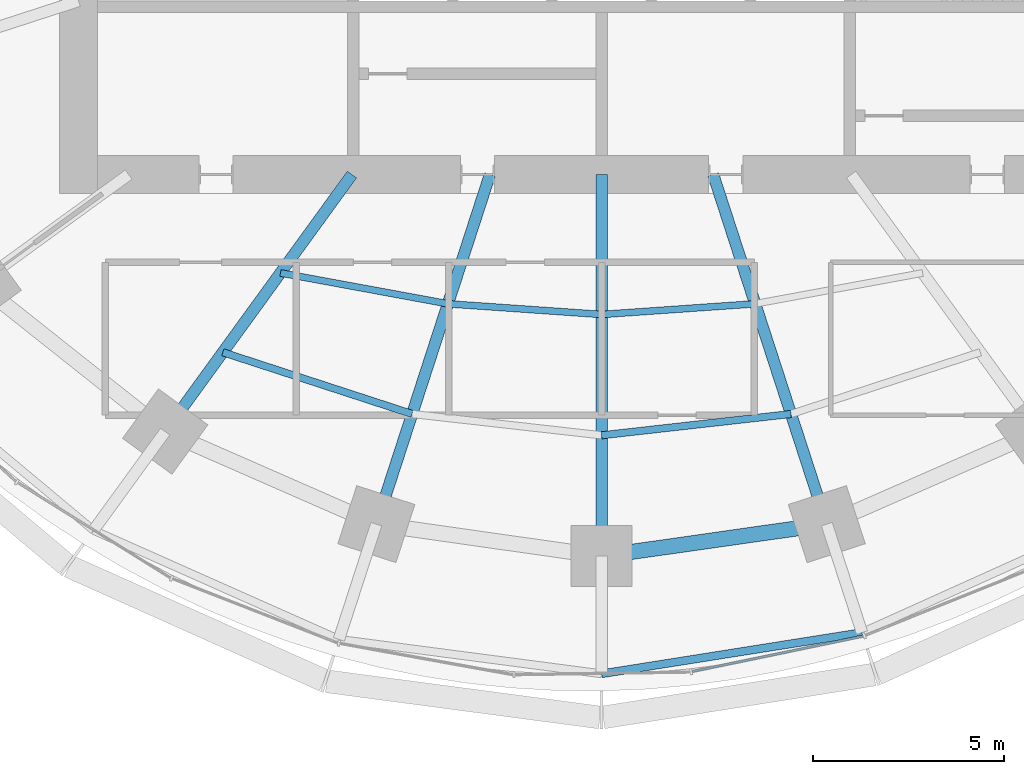
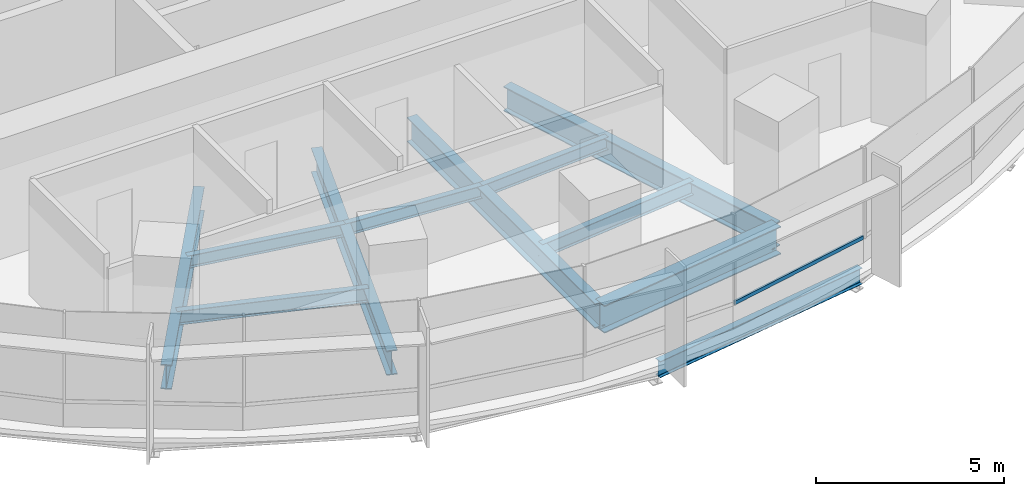
# One storey, part 3 of 14: 11 beams, 1 member, 1 element without a shape of its own.
"""IFC4 building model written with IfcOpenShell, lengths in metres."""

from ifc_helpers import new_model, si_unit, direction, frame, origin, origin_2d, place, context, subcontext, project, spatial, rectangle, i_section, extrude, material, material_profile, profile_set, type_object, element, aggregate, save


model = new_model("IFC4")

# Units and contexts
model_context = context("Model", 3, precision=1e-05, world=origin(), true_north=direction((0.0, 1.0)))
body_context = subcontext(model_context, "Body", "Model", "MODEL_VIEW")
ifc_project = project(units=[si_unit("LENGTHUNIT", "METRE"), si_unit("AREAUNIT", "SQUARE_METRE"), si_unit("VOLUMEUNIT", "CUBIC_METRE"), si_unit("PLANEANGLEUNIT", "RADIAN"), si_unit("MASSUNIT", "GRAM", prefix="KILO")], contexts=[model_context])

# Site, building, storey
site_placement = place(None, origin())
site = spatial("IfcSite", under=ifc_project, at=site_placement, CompositionType="ELEMENT")
building_placement = place(site_placement, origin())
building = spatial("IfcBuilding", under=site, at=building_placement, Name="Marramba Exchange Tower", CompositionType="ELEMENT")
storey_placement = place(building_placement, frame((0.0, 0.0, 139.199951171875)))
storey = spatial("IfcBuildingStorey", under=building, at=storey_placement, Name="L33", CompositionType="ELEMENT", Elevation=139.199951171875)

# Beams
ifc_material_1 = material(Name="Steel AS/NZS 3679.1 grade 300", Category="steel")
ifc_material_profile_1 = material_profile(ifc_material_1, i_section(OverallWidth=0.177978515625, OverallDepth=0.406005859375, WebThickness=0.0078125, FlangeThickness=0.0126953125, FilletRadius=0.011474609375, at=origin_2d()), Name="410UB59.7")
ifc_profile_set_1 = profile_set([ifc_material_profile_1], Name="Steel AS/NZS 3679.1 grade 300")
beam_type_1 = type_object("IfcBeamType", Name="Floor joist 410UB59.7", PredefinedType="JOIST", material=ifc_profile_set_1)
beam_1_placement = place(storey_placement, frame((-8.41162109375, -11.57763671875, -0.363037109375), z_axis=(0.983455754421, -0.181148500119, 0.0), x_axis=(0.181148500119, 0.983455754421, 0.0)))
element("IfcBeam", 1, at=beam_1_placement, inside=storey, type_object=beam_type_1, Name="Joist L33 bay 14 row 1", PredefinedType="JOIST", context=body_context, shape_type="SweptSolid", body=[
    extrude(i_section(OverallWidth=0.177978515625, OverallDepth=0.406005859375, WebThickness=0.0078125, FlangeThickness=0.0126953125, FilletRadius=0.011474609375, at=origin_2d()), origin(), (0.0, 0.0, 1.0), 4.4609375),
])
for number, where, z_axis, x_axis, name in (
    (2, (-4.0244140625, -12.3857421875, -0.363037109375), (0.99759625901, -0.069294328838, 0.0), (0.069294328838, 0.99759625901, 0.0), "Joist L33 bay 15 row 1"),
    (3, (0.0, -12.665283203125, -0.363037109375), (0.99759625901, 0.069294328838, 0.0), (-0.069294328838, 0.99759625901, 0.0), "Joist L33 bay 16 row 1"),
):
    element("IfcBeam", number, at=place(storey_placement, frame(where, z_axis=z_axis, x_axis=x_axis)), inside=storey, type_object=beam_type_1, Name=name, PredefinedType="JOIST", context=body_context, shape_type="SweptSolid", body=[
        extrude(i_section(OverallWidth=0.177978515625, OverallDepth=0.406005859375, WebThickness=0.0078125, FlangeThickness=0.0126953125, FilletRadius=0.011474609375, at=origin_2d()), origin(), (0.0, 0.0, 1.0), 4.0341796875),
    ])
ifc_material_profile_2 = material_profile(ifc_material_1, i_section(OverallWidth=0.18994140625, OverallDepth=0.4541015625, WebThickness=0.008544921875, FlangeThickness=0.0126953125, FilletRadius=0.011474609375, at=origin_2d()), Name="460UB67.1")
ifc_profile_set_2 = profile_set([ifc_material_profile_2], Name="Steel AS/NZS 3679.1 grade 300")
beam_type_2 = type_object("IfcBeamType", Name="Floor joist 460UB67.1", PredefinedType="JOIST", material=ifc_profile_set_2)
beam_2_placement = place(storey_placement, frame((-9.9208984375, -13.655029296875, -0.386962890625), z_axis=(0.950764024931, -0.309915744834, 0.0), x_axis=(0.309915744834, 0.950764024931, 0.0)))
element("IfcBeam", 4, at=beam_2_placement, inside=storey, type_object=beam_type_2, Name="Joist L33 bay 14 row 2", PredefinedType="JOIST", context=body_context, shape_type="SweptSolid", body=[
    extrude(i_section(OverallWidth=0.18994140625, OverallDepth=0.4541015625, WebThickness=0.008544921875, FlangeThickness=0.0126953125, FilletRadius=0.011474609375, at=origin_2d()), origin(), (0.0, 0.0, 1.0), 5.2158203125),
])
beam_3_placement = place(storey_placement, frame((0.0, -15.83056640625, -0.386962890625), z_axis=(0.993712018573, 0.111966174106, 0.0), x_axis=(-0.111966174106, 0.993712018573, 0.0)))
element("IfcBeam", 5, at=beam_3_placement, inside=storey, type_object=beam_type_2, Name="Joist L33 bay 16 row 2", PredefinedType="JOIST", context=body_context, shape_type="SweptSolid", body=[
    extrude(i_section(OverallWidth=0.18994140625, OverallDepth=0.4541015625, WebThickness=0.008544921875, FlangeThickness=0.0126953125, FilletRadius=0.011474609375, at=origin_2d()), origin(), (0.0, 0.0, 1.0), 4.993408203125),
])

# Curtain wall, member
ifc_material_2 = material(Name="Aluminium framing, bronze anodised", Category="aluminium")
curtain_wall_type = type_object("IfcCurtainWallType", Name="Office ribbon curtain wall", PredefinedType="USERDEFINED", material=ifc_material_2)
curtain_wall_placement = place(storey_placement, origin())
curtain_wall = element("IfcCurtainWall", 6, at=curtain_wall_placement, inside=storey, type_object=curtain_wall_type, Name="Curtain wall CW4 L33 F21-F25", ObjectType="RIBBON CURTAIN WALL", PredefinedType="USERDEFINED")
ifc_material_3 = material(Name="Aluminium transom, bronze anodised", Category="aluminium")
ifc_material_profile_3 = material_profile(ifc_material_3, rectangle(XDim=0.06005859375, YDim=0.1201171875, at=origin_2d()), Name="CW4 transom 60x120")
ifc_profile_set_3 = profile_set([ifc_material_profile_3], Name="Aluminium transom, bronze anodised")
member_type = type_object("IfcMemberType", Name="Office ribbon curtain wall transom", PredefinedType="USERDEFINED", material=ifc_profile_set_3)
member_placement = place(storey_placement, frame((2.374267578125, -22.017822265625, 0.830078125), z_axis=(0.979310422034, 0.202363774661, 0.0), x_axis=(-0.202363774661, 0.979310422034, 0.0)))
member = element("IfcMember", 7, at=member_placement, type_object=member_type, Name="CW4 sill transom", ObjectType="TRANSOM", PredefinedType="USERDEFINED", context=body_context, shape_type="SweptSolid", body=[
    extrude(rectangle(XDim=0.06005859375, YDim=0.1201171875, at=origin_2d()), origin(), (0.0, 0.0, 1.0), 4.57373046875),
])
aggregate(curtain_wall, [member])

# Beams
ifc_material_4 = material(Name="Steel AS/NZS 3679.2 grade 300", Category="steel")
ifc_material_profile_4 = material_profile(ifc_material_4, i_section(OverallWidth=0.300048828125, OverallDepth=0.800048828125, WebThickness=0.013916015625, FlangeThickness=0.031982421875, at=origin_2d()), Name="800WB192")
ifc_profile_set_4 = profile_set([ifc_material_profile_4], Name="Steel AS/NZS 3679.2 grade 300")
beam_type_3 = type_object("IfcBeamType", Name="Radial girder 800WB192", PredefinedType="BEAM", material=ifc_profile_set_4)
beam_4_placement = place(storey_placement, frame((-6.538818359375, -9.0, -0.56005859375), z_axis=(-0.587787877172, -0.809015087282, 0.0), x_axis=(0.809015087282, -0.587787877172, 0.0)))
element("IfcBeam", 8, at=beam_4_placement, inside=storey, type_object=beam_type_3, Name="Radial girder L33 TC14", PredefinedType="BEAM", context=body_context, shape_type="SweptSolid", body=[
    extrude(i_section(OverallWidth=0.300048828125, OverallDepth=0.800048828125, WebThickness=0.013916015625, FlangeThickness=0.031982421875, at=origin_2d()), origin(), (0.0, 0.0, 1.0), 8.322021484375),
])
beam_5_placement = place(storey_placement, frame((-2.92431640625, -9.0, -0.56005859375), z_axis=(-0.309022428985, -0.951054750466, 0.0), x_axis=(0.951054750466, -0.309022428985, 0.0)))
element("IfcBeam", 9, at=beam_5_placement, inside=storey, type_object=beam_type_3, Name="Radial girder L33 TC15", PredefinedType="BEAM", context=body_context, shape_type="SweptSolid", body=[
    extrude(i_section(OverallWidth=0.300048828125, OverallDepth=0.800048828125, WebThickness=0.013916015625, FlangeThickness=0.031982421875, at=origin_2d()), origin(), (0.0, 0.0, 1.0), 9.628173828125),
])
beam_6_placement = place(storey_placement, frame((0.0, -9.0, -0.56005859375), z_axis=(0.0, -1.0, 0.0), x_axis=(1.0, 0.0, 0.0)))
element("IfcBeam", 10, at=beam_6_placement, inside=storey, type_object=beam_type_3, Name="Radial girder L33 TC16", PredefinedType="BEAM", context=body_context, shape_type="SweptSolid", body=[
    extrude(i_section(OverallWidth=0.300048828125, OverallDepth=0.800048828125, WebThickness=0.013916015625, FlangeThickness=0.031982421875, at=origin_2d()), origin(), (0.0, 0.0, 1.0), 9.99609375),
])
beam_7_placement = place(storey_placement, frame((2.92431640625, -9.0, -0.56005859375), z_axis=(0.309022428985, -0.951054750466, 0.0), x_axis=(0.951054750466, 0.309022428985, 0.0)))
element("IfcBeam", 11, at=beam_7_placement, inside=storey, type_object=beam_type_3, Name="Radial girder L33 TC17", PredefinedType="BEAM", context=body_context, shape_type="SweptSolid", body=[
    extrude(i_section(OverallWidth=0.300048828125, OverallDepth=0.800048828125, WebThickness=0.013916015625, FlangeThickness=0.031982421875, at=origin_2d()), origin(), (0.0, 0.0, 1.0), 9.628173828125),
])
ifc_material_profile_5 = material_profile(ifc_material_4, i_section(OverallWidth=0.39990234375, OverallDepth=0.89990234375, WebThickness=0.01611328125, FlangeThickness=0.031982421875, at=origin_2d()), Name="900WB282")
ifc_profile_set_5 = profile_set([ifc_material_profile_5], Name="Steel AS/NZS 3679.2 grade 300")
beam_type_4 = type_object("IfcBeamType", Name="Ring beam 900WB282", PredefinedType="SPANDREL", material=ifc_profile_set_5)
beam_8_placement = place(storey_placement, frame((0.0, -18.99609375, -0.60986328125), z_axis=(0.990036163016, 0.140813337152, 0.0), x_axis=(-0.140813337152, 0.990036163016, 0.0)))
element("IfcBeam", 12, at=beam_8_placement, inside=storey, type_object=beam_type_4, Name="Ring beam L33 TC16-TC17", PredefinedType="SPANDREL", context=body_context, shape_type="SweptSolid", body=[
    extrude(i_section(OverallWidth=0.39990234375, OverallDepth=0.89990234375, WebThickness=0.01611328125, FlangeThickness=0.031982421875, at=origin_2d()), origin(), (0.0, 0.0, 1.0), 5.958984375),
])
ifc_material_profile_6 = material_profile(ifc_material_1, i_section(OverallWidth=0.208984375, OverallDepth=0.528076171875, WebThickness=0.009521484375, FlangeThickness=0.01318359375, FilletRadius=0.013916015625, at=origin_2d()), Name="530UB82.0")
ifc_profile_set_6 = profile_set([ifc_material_profile_6], Name="Steel AS/NZS 3679.1 grade 300")
beam_type_5 = type_object("IfcBeamType", Name="Slab edge beam 530UB82.0", PredefinedType="SPANDREL", material=ifc_profile_set_6)
beam_9_placement = place(storey_placement, frame((0.0, -22.076904296875, -0.424072265625), z_axis=(0.987705008555, 0.15632919137, 0.0), x_axis=(-0.15632919137, 0.987705008555, 0.0)))
element("IfcBeam", 13, at=beam_9_placement, inside=storey, type_object=beam_type_5, Name="Slab edge beam L33 TC16-TC17", PredefinedType="SPANDREL", context=body_context, shape_type="SweptSolid", body=[
    extrude(i_section(OverallWidth=0.208984375, OverallDepth=0.528076171875, WebThickness=0.009521484375, FlangeThickness=0.01318359375, FilletRadius=0.013916015625, at=origin_2d()), origin(), (0.0, 0.0, 1.0), 6.907470703125),
])

save(model, "model.ifc")
